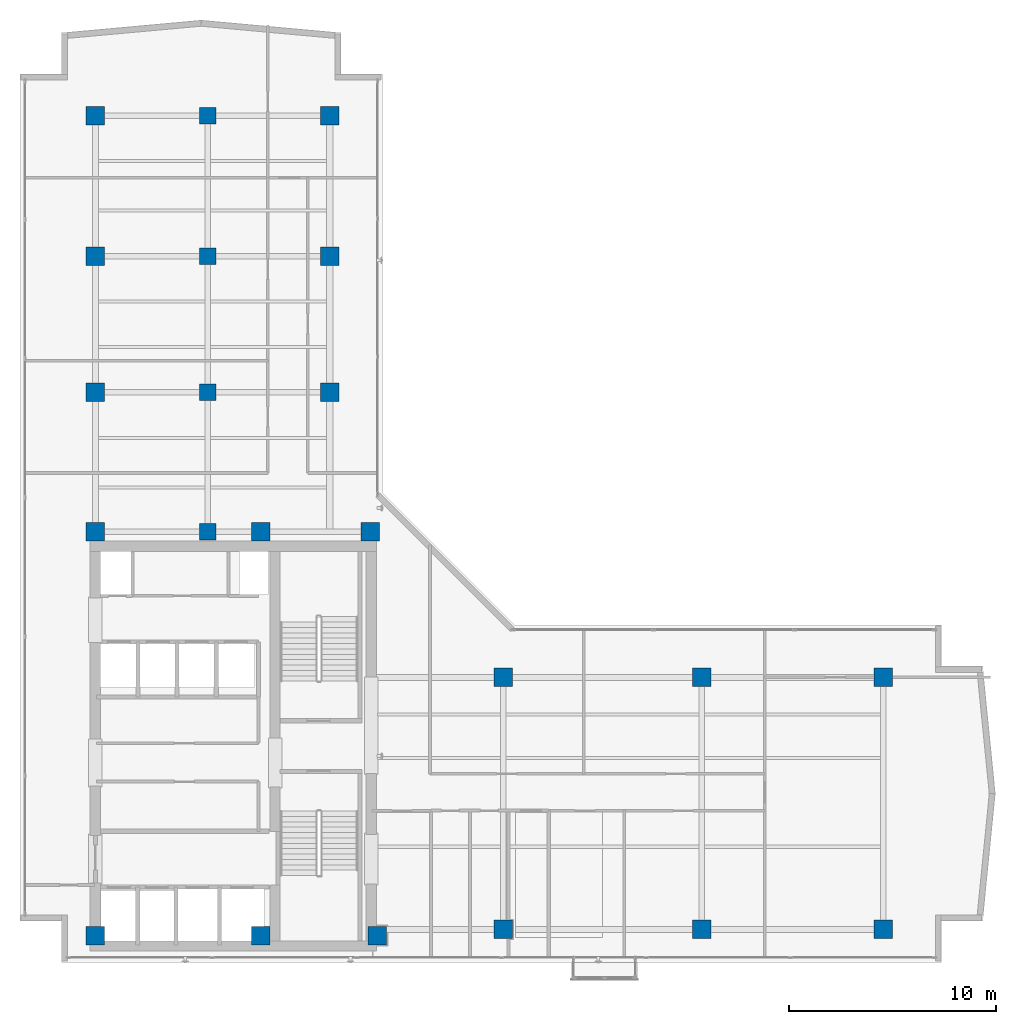
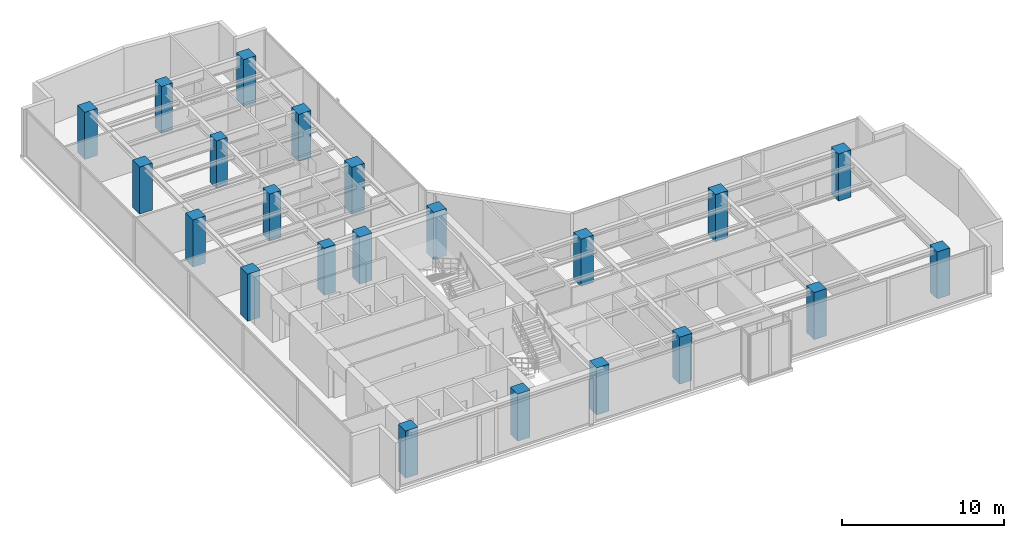
# One storey, part 1 of 22: 22 columns.
"""IFC4 building model written with IfcOpenShell, lengths in metres."""

from ifc_helpers import new_model, si_unit, direction, frame, origin, origin_2d, place, context, subcontext, project, spatial, rectangle, extrude, material, material_profile, profile_set, type_object, element, save


model = new_model("IFC4")

# Units and contexts
model_context = context("Model", 3, precision=1e-05, world=origin(), true_north=direction((0.0, 1.0)))
body_context = subcontext(model_context, "Body", "Model", "MODEL_VIEW")
ifc_project = project(units=[si_unit("LENGTHUNIT", "METRE"), si_unit("AREAUNIT", "SQUARE_METRE"), si_unit("VOLUMEUNIT", "CUBIC_METRE"), si_unit("PLANEANGLEUNIT", "RADIAN"), si_unit("MASSUNIT", "GRAM", prefix="KILO")], contexts=[model_context])

# Site, building, storey
site_placement = place(None, origin())
site = spatial("IfcSite", under=ifc_project, at=site_placement, CompositionType="ELEMENT")
building_placement = place(site_placement, origin())
building = spatial("IfcBuilding", under=site, at=building_placement, Name="Kolvaren Waterfront Exchange", CompositionType="ELEMENT")
storey_placement = place(building_placement, frame((0.0, 0.0, 281.800048828125)))
storey = spatial("IfcBuildingStorey", under=building, at=storey_placement, Name="L72", CompositionType="ELEMENT", Elevation=281.800048828125)

# Columns
ifc_material = material(Name="Concrete C50/60", Category="concrete")
ifc_material_profile_1 = material_profile(ifc_material, rectangle(XDim=0.800048828125, YDim=0.800048828125, at=origin_2d()), Name="RC-COL-800x800")
ifc_profile_set_1 = profile_set([ifc_material_profile_1], Name="Concrete C50/60")
column_type_1 = type_object("IfcColumnType", Name="STR-COL-800-C50", PredefinedType="COLUMN", material=ifc_profile_set_1)
for number, where, z_axis, x_axis, name in (
    (1, (12.89990234375, 24.449951171875, 0.0), (0.0, 0.0, 1.0), (1.0, 0.0, 0.0), "L72 column TC01"),
    (2, (12.89990234375, 31.199951171875, 0.0), (0.0, 0.0, 1.0), (1.0, 0.0, 0.0), "L72 column TC02"),
    (3, (12.89990234375, 37.800048828125, 0.0), (0.0, 0.0, 1.0), (1.0, 0.0, 0.0), "L72 column TC03"),
    (4, (12.89990234375, 44.60009765625, 0.0), (0.0, 0.0, 1.0), (1.0, 0.0, 0.0), "L72 column TC04"),
):
    element("IfcColumn", number, at=place(storey_placement, frame(where, z_axis=z_axis, x_axis=x_axis)), inside=storey, type_object=column_type_1, Name=name, PredefinedType="COLUMN", context=body_context, shape_type="SweptSolid", body=[
        extrude(rectangle(XDim=0.800048828125, YDim=0.800048828125, at=origin_2d()), origin(), (0.0, 0.0, 1.0), 3.56005859375),
    ])
ifc_material_profile_2 = material_profile(ifc_material, rectangle(XDim=0.89990234375, YDim=0.89990234375, at=origin_2d()), Name="RC-COL-900x900")
ifc_profile_set_2 = profile_set([ifc_material_profile_2], Name="Concrete C50/60")
column_type_2 = type_object("IfcColumnType", Name="STR-COL-900-C50", PredefinedType="COLUMN", material=ifc_profile_set_2)
for number, where, z_axis, x_axis, name in (
    (5, (7.449951171875, 4.89990234375, 0.0), (0.0, 0.0, 1.0), (1.0, 0.0, 0.0), "L72 column MC01"),
    (6, (15.449951171875, 4.89990234375, 0.0), (0.0, 0.0, 1.0), (1.0, 0.0, 0.0), "L72 column MC02"),
    (7, (21.10009765625, 4.89990234375, 0.0), (0.0, 0.0, 1.0), (1.0, 0.0, 0.0), "L72 column MC03"),
    (8, (7.449951171875, 24.449951171875, 0.0), (0.0, 0.0, 1.0), (1.0, 0.0, 0.0), "L72 column MC04"),
    (9, (15.449951171875, 24.449951171875, 0.0), (0.0, 0.0, 1.0), (1.0, 0.0, 0.0), "L72 column MC05"),
    (10, (20.75, 24.449951171875, 0.0), (0.0, 0.0, 1.0), (1.0, 0.0, 0.0), "L72 column MC06"),
    (11, (7.449951171875, 31.199951171875, 0.0), (0.0, 0.0, 1.0), (1.0, 0.0, 0.0), "L72 column NC01"),
    (12, (7.449951171875, 37.800048828125, 0.0), (0.0, 0.0, 1.0), (1.0, 0.0, 0.0), "L72 column NC02"),
    (13, (7.449951171875, 44.60009765625, 0.0), (0.0, 0.0, 1.0), (1.0, 0.0, 0.0), "L72 column NC03"),
    (14, (18.800048828125, 31.199951171875, 0.0), (0.0, 0.0, 1.0), (1.0, 0.0, 0.0), "L72 column NC04"),
    (15, (18.800048828125, 37.800048828125, 0.0), (0.0, 0.0, 1.0), (1.0, 0.0, 0.0), "L72 column NC05"),
    (16, (18.800048828125, 44.60009765625, 0.0), (0.0, 0.0, 1.0), (1.0, 0.0, 0.0), "L72 column NC06"),
    (17, (27.199951171875, 5.199951171875, 0.0), (0.0, 0.0, 1.0), (1.0, 0.0, 0.0), "L72 column EC01"),
    (18, (36.800048828125, 5.199951171875, 0.0), (0.0, 0.0, 1.0), (1.0, 0.0, 0.0), "L72 column EC02"),
    (19, (45.60009765625, 5.199951171875, 0.0), (0.0, 0.0, 1.0), (1.0, 0.0, 0.0), "L72 column EC03"),
    (20, (27.199951171875, 17.39990234375, 0.0), (0.0, 0.0, 1.0), (1.0, 0.0, 0.0), "L72 column EC04"),
    (21, (36.800048828125, 17.39990234375, 0.0), (0.0, 0.0, 1.0), (1.0, 0.0, 0.0), "L72 column EC05"),
    (22, (45.60009765625, 17.39990234375, 0.0), (0.0, 0.0, 1.0), (1.0, 0.0, 0.0), "L72 column EC06"),
):
    element("IfcColumn", number, at=place(storey_placement, frame(where, z_axis=z_axis, x_axis=x_axis)), inside=storey, type_object=column_type_2, Name=name, PredefinedType="COLUMN", context=body_context, shape_type="SweptSolid", body=[
        extrude(rectangle(XDim=0.89990234375, YDim=0.89990234375, at=origin_2d()), origin(), (0.0, 0.0, 1.0), 3.56005859375),
    ])

save(model, "model.ifc")
